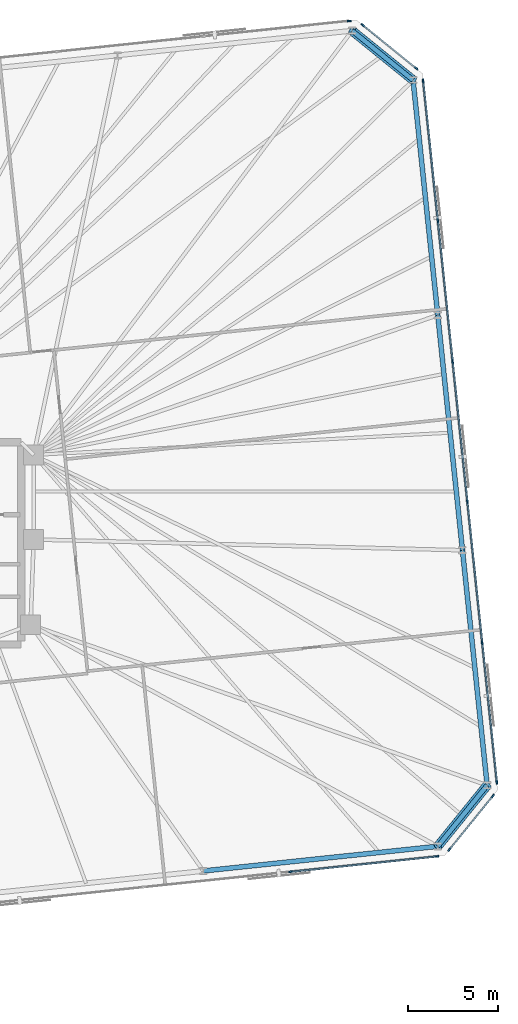
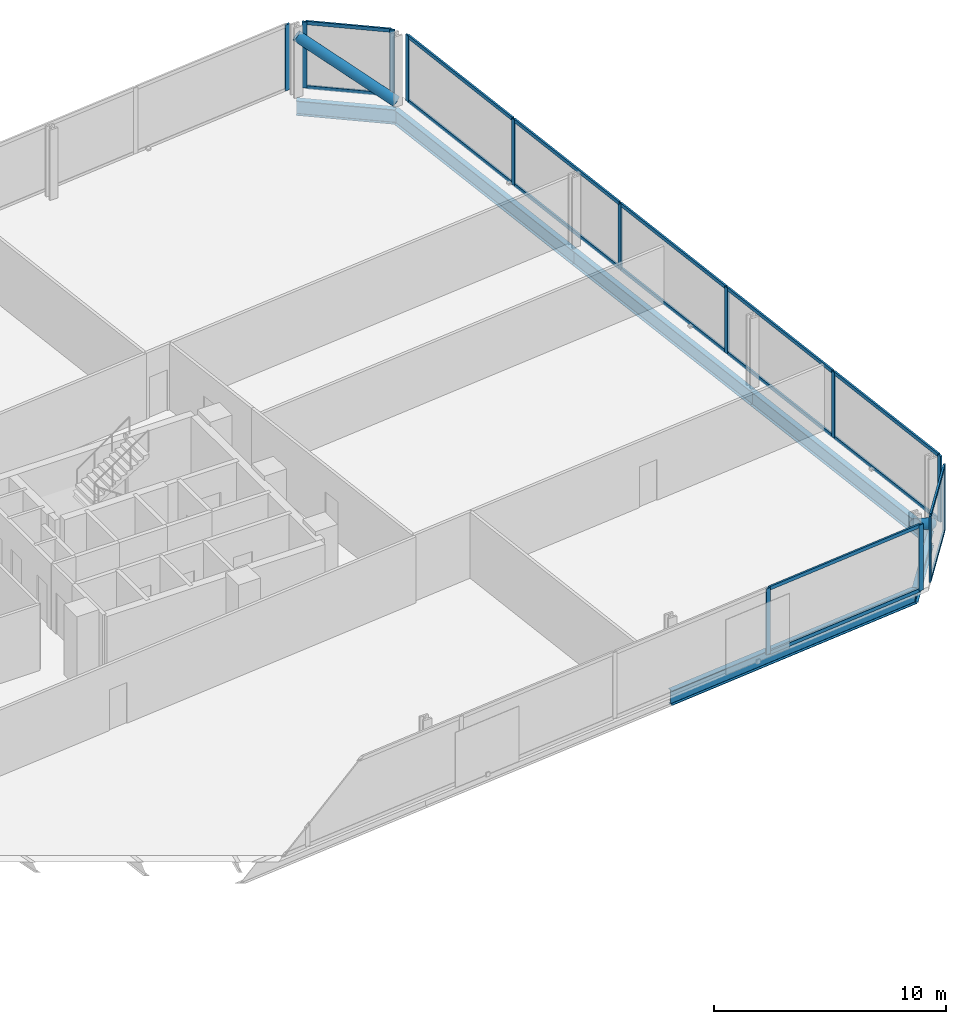
# One storey, part 12 of 18: 31 members, 6 beams, 5 elements without a shape of their own.
"""IFC4 building model written with IfcOpenShell, lengths in metres."""

from ifc_helpers import new_model, si_unit, direction, frame, origin, origin_2d, place, context, subcontext, project, spatial, rectangle, hollow_circle, i_section, extrude, material, material_profile, profile_set, type_object, element, aggregate, save


model = new_model("IFC4")

# Units and contexts
model_context = context("Model", 3, precision=1e-05, world=origin(), true_north=direction((0.0, 1.0)))
body_context = subcontext(model_context, "Body", "Model", "MODEL_VIEW")
ifc_project = project(units=[si_unit("LENGTHUNIT", "METRE"), si_unit("AREAUNIT", "SQUARE_METRE"), si_unit("VOLUMEUNIT", "CUBIC_METRE"), si_unit("PLANEANGLEUNIT", "RADIAN"), si_unit("MASSUNIT", "GRAM", prefix="KILO")], contexts=[model_context])

# Site, building, storey
site_placement = place(None, origin())
site = spatial("IfcSite", under=ifc_project, at=site_placement, CompositionType="ELEMENT")
building_placement = place(site_placement, origin())
building = spatial("IfcBuilding", under=site, at=building_placement, Name="Menara Jurai Vektor", CompositionType="ELEMENT")
storey_placement = place(building_placement, frame((0.0, 0.0, 113.300048828125)))
storey = spatial("IfcBuildingStorey", under=building, at=storey_placement, Name="L28", CompositionType="ELEMENT", Elevation=113.300048828125)

# Curtain wall, members
ifc_material_1 = material(Name="Anodised Pale Aluminium & Low-E Double Glazing", Category="aluminium")
curtain_wall_type = type_object("IfcCurtainWallType", Name="CW-BLK2", PredefinedType="NOTDEFINED", material=ifc_material_1)
curtain_wall_1_placement = place(storey_placement, origin())
curtain_wall_1 = element("IfcCurtainWall", 1, at=curtain_wall_1_placement, inside=storey, type_object=curtain_wall_type, Name="Unitised Curtain Wall L28 F03", PredefinedType="NOTDEFINED")
ifc_material_2 = material(Name="Anodised Pale Aluminium Mullion", Category="aluminium")
ifc_material_profile_1 = material_profile(ifc_material_2, rectangle(XDim=0.090087890625, YDim=0.219970703125, at=origin_2d()), Name="ALU MUL 90x220")
ifc_profile_set_1 = profile_set([ifc_material_profile_1], Name="Anodised Pale Aluminium Mullion")
member_type_1 = type_object("IfcMemberType", Name="CW-BLK2-MUL", PredefinedType="MULLION", material=ifc_profile_set_1)
member_1_placement = place(storey_placement, frame((29.478271484375, -18.174072265625, 0.0), z_axis=(0.0, 0.0, 1.0), x_axis=(-0.104528945794, 0.994521844653, 0.0)))
member_1 = element("IfcMember", 2, at=member_1_placement, type_object=member_type_1, Name="CW-02 mullion 7", PredefinedType="MULLION", context=body_context, shape_type="SweptSolid", body=[
    extrude(rectangle(XDim=0.090087890625, YDim=0.219970703125, at=origin_2d()), origin(), (0.0, 0.0, 1.0), 3.474853515625),
])
member_2_placement = place(storey_placement, frame((37.5771484375, -17.32275390625, 0.0), z_axis=(0.0, 0.0, 1.0), x_axis=(-0.104528945794, 0.994521844653, 0.0)))
member_2 = element("IfcMember", 3, at=member_2_placement, type_object=member_type_1, Name="CW-02 mullion 8", PredefinedType="MULLION", context=body_context, shape_type="SweptSolid", body=[
    extrude(rectangle(XDim=0.090087890625, YDim=0.219970703125, at=origin_2d()), origin(), (0.0, 0.0, 1.0), 3.474853515625),
])

curtain_wall_2_placement = place(storey_placement, origin())
curtain_wall_2 = element("IfcCurtainWall", 4, at=curtain_wall_2_placement, inside=storey, type_object=curtain_wall_type, Name="Unitised Curtain Wall L28 F04", PredefinedType="NOTDEFINED")
member_3_placement = place(storey_placement, frame((38.267333984375, -16.9482421875, 0.0), z_axis=(0.0, 0.0, 1.0), x_axis=(-0.777129222223, 0.62934106172, 0.0)))
member_3 = element("IfcMember", 5, at=member_3_placement, type_object=member_type_1, Name="CW-02 mullion 1", PredefinedType="MULLION", context=body_context, shape_type="SweptSolid", body=[
    extrude(rectangle(XDim=0.090087890625, YDim=0.219970703125, at=origin_2d()), origin(), (0.0, 0.0, 1.0), 3.474853515625),
])
member_4_placement = place(storey_placement, frame((40.66943359375, -13.98193359375, 0.0), z_axis=(0.0, 0.0, 1.0), x_axis=(-0.777129222223, 0.62934106172, 0.0)))
member_4 = element("IfcMember", 6, at=member_4_placement, type_object=member_type_1, Name="CW-02 mullion 2", PredefinedType="MULLION", context=body_context, shape_type="SweptSolid", body=[
    extrude(rectangle(XDim=0.090087890625, YDim=0.219970703125, at=origin_2d()), origin(), (0.0, 0.0, 1.0), 3.474853515625),
])

curtain_wall_3_placement = place(storey_placement, origin())
curtain_wall_3 = element("IfcCurtainWall", 7, at=curtain_wall_3_placement, inside=storey, type_object=curtain_wall_type, Name="Unitised Curtain Wall L28 F05", PredefinedType="NOTDEFINED")
member_5_placement = place(storey_placement, frame((40.892333984375, -13.22900390625, 0.0), z_axis=(0.0, 0.0, 1.0), x_axis=(-0.99452177832, -0.104529576902, 0.0)))
member_5 = element("IfcMember", 8, at=member_5_placement, type_object=member_type_1, Name="CW-02 mullion 1", PredefinedType="MULLION", context=body_context, shape_type="SweptSolid", body=[
    extrude(rectangle(XDim=0.090087890625, YDim=0.219970703125, at=origin_2d()), origin(), (0.0, 0.0, 1.0), 3.474853515625),
])
member_6_placement = place(storey_placement, frame((40.078857421875, -5.488525390625, 0.0), z_axis=(0.0, 0.0, 1.0), x_axis=(-0.99452177832, -0.104529576902, 0.0)))
member_6 = element("IfcMember", 9, at=member_6_placement, type_object=member_type_1, Name="CW-02 mullion 2", PredefinedType="MULLION", context=body_context, shape_type="SweptSolid", body=[
    extrude(rectangle(XDim=0.090087890625, YDim=0.219970703125, at=origin_2d()), origin(), (0.0, 0.0, 1.0), 3.474853515625),
])
member_7_placement = place(storey_placement, frame((39.260498046875, 2.296630859375, 0.0), z_axis=(0.0, 0.0, 1.0), x_axis=(-0.99452177832, -0.104529576902, 0.0)))
member_7 = element("IfcMember", 10, at=member_7_placement, type_object=member_type_1, Name="CW-02 mullion 3", PredefinedType="MULLION", context=body_context, shape_type="SweptSolid", body=[
    extrude(rectangle(XDim=0.090087890625, YDim=0.219970703125, at=origin_2d()), origin(), (0.0, 0.0, 1.0), 3.474853515625),
])
member_8_placement = place(storey_placement, frame((38.4423828125, 10.081787109375, 0.0), z_axis=(0.0, 0.0, 1.0), x_axis=(-0.99452177832, -0.104529576902, 0.0)))
member_8 = element("IfcMember", 11, at=member_8_placement, type_object=member_type_1, Name="CW-02 mullion 4", PredefinedType="MULLION", context=body_context, shape_type="SweptSolid", body=[
    extrude(rectangle(XDim=0.090087890625, YDim=0.219970703125, at=origin_2d()), origin(), (0.0, 0.0, 1.0), 3.474853515625),
])
member_9_placement = place(storey_placement, frame((37.6240234375, 17.866943359375, 0.0), z_axis=(0.0, 0.0, 1.0), x_axis=(-0.99452177832, -0.104529576902, 0.0)))
member_9 = element("IfcMember", 12, at=member_9_placement, type_object=member_type_1, Name="CW-02 mullion 5", PredefinedType="MULLION", context=body_context, shape_type="SweptSolid", body=[
    extrude(rectangle(XDim=0.090087890625, YDim=0.219970703125, at=origin_2d()), origin(), (0.0, 0.0, 1.0), 3.474853515625),
])
member_10_placement = place(storey_placement, frame((36.810546875, 25.607177734375, 0.0), z_axis=(0.0, 0.0, 1.0), x_axis=(-0.99452177832, -0.104529576902, 0.0)))
member_10 = element("IfcMember", 13, at=member_10_placement, type_object=member_type_1, Name="CW-02 mullion 6", PredefinedType="MULLION", context=body_context, shape_type="SweptSolid", body=[
    extrude(rectangle(XDim=0.090087890625, YDim=0.219970703125, at=origin_2d()), origin(), (0.0, 0.0, 1.0), 3.474853515625),
])

curtain_wall_4_placement = place(storey_placement, origin())
curtain_wall_4 = element("IfcCurtainWall", 14, at=curtain_wall_4_placement, inside=storey, type_object=curtain_wall_type, Name="Unitised Curtain Wall L28 F06", PredefinedType="NOTDEFINED")
member_11_placement = place(storey_placement, frame((36.435791015625, 26.29736328125, 0.0), z_axis=(0.0, 0.0, 1.0), x_axis=(-0.629313085353, -0.777151877437, 0.0)))
member_11 = element("IfcMember", 15, at=member_11_placement, type_object=member_type_1, Name="CW-02 mullion 1", PredefinedType="MULLION", context=body_context, shape_type="SweptSolid", body=[
    extrude(rectangle(XDim=0.090087890625, YDim=0.219970703125, at=origin_2d()), origin(), (0.0, 0.0, 1.0), 3.474853515625),
])
member_12_placement = place(storey_placement, frame((33.469482421875, 28.699462890625, 0.0), z_axis=(0.0, 0.0, 1.0), x_axis=(-0.629313085353, -0.777151877437, 0.0)))
member_12 = element("IfcMember", 16, at=member_12_placement, type_object=member_type_1, Name="CW-02 mullion 2", PredefinedType="MULLION", context=body_context, shape_type="SweptSolid", body=[
    extrude(rectangle(XDim=0.090087890625, YDim=0.219970703125, at=origin_2d()), origin(), (0.0, 0.0, 1.0), 3.474853515625),
])

# Curtain wall, member
curtain_wall_5_placement = place(storey_placement, origin())
curtain_wall_5 = element("IfcCurtainWall", 17, at=curtain_wall_5_placement, inside=storey, type_object=curtain_wall_type, Name="Unitised Curtain Wall L28 F07", PredefinedType="NOTDEFINED")
member_13_placement = place(storey_placement, frame((32.716552734375, 28.92236328125, 0.0), z_axis=(0.0, 0.0, 1.0), x_axis=(0.104528634935, -0.994521877325, 0.0)))
member_13 = element("IfcMember", 18, at=member_13_placement, type_object=member_type_1, Name="CW-02 mullion 1", PredefinedType="MULLION", context=body_context, shape_type="SweptSolid", body=[
    extrude(rectangle(XDim=0.090087890625, YDim=0.219970703125, at=origin_2d()), origin(), (0.0, 0.0, 1.0), 3.474853515625),
])
aggregate(curtain_wall_5, [member_13])

# Member
ifc_material_3 = material(Name="Anodised Pale Aluminium Transom", Category="aluminium")
ifc_material_profile_2 = material_profile(ifc_material_3, rectangle(XDim=0.090087890625, YDim=0.18505859375, at=origin_2d()), Name="ALU TRN 90x185")
ifc_profile_set_2 = profile_set([ifc_material_profile_2], Name="Anodised Pale Aluminium Transom")
member_type_2 = type_object("IfcMemberType", Name="CW-BLK2-TRN", PredefinedType="USERDEFINED", material=ifc_profile_set_2)
member_14_placement = place(storey_placement, frame((29.52294921875, -18.16943359375, 0.044921875), z_axis=(0.994519231047, 0.104553809488, 0.0), x_axis=(-0.104553809488, 0.994519231047, 0.0)))
member_14 = element("IfcMember", 19, at=member_14_placement, type_object=member_type_2, Name="CW-02 transom 7.1", ObjectType="TRANSOM", PredefinedType="USERDEFINED", context=body_context, shape_type="SweptSolid", body=[
    extrude(rectangle(XDim=0.090087890625, YDim=0.18505859375, at=origin_2d()), origin(), (0.0, 0.0, 1.0), 8.0537109375),
])

member_15_placement = place(storey_placement, frame((29.52294921875, -18.16943359375, 3.429931640625), z_axis=(0.994519231047, 0.104553809488, 0.0), x_axis=(-0.104553809488, 0.994519231047, 0.0)))
member_15 = element("IfcMember", 20, at=member_15_placement, type_object=member_type_2, Name="CW-02 transom 7.2", ObjectType="TRANSOM", PredefinedType="USERDEFINED", context=body_context, shape_type="SweptSolid", body=[
    extrude(rectangle(XDim=0.090087890625, YDim=0.18505859375, at=origin_2d()), origin(), (0.0, 0.0, 1.0), 8.0537109375),
])

aggregate(curtain_wall_1, [member_1, member_2, member_14, member_15])

member_16_placement = place(storey_placement, frame((38.295654296875, -16.9130859375, 0.044921875), z_axis=(0.6293414396, 0.777128916205, 0.0), x_axis=(-0.777128916205, 0.6293414396, 0.0)))
member_16 = element("IfcMember", 21, at=member_16_placement, type_object=member_type_2, Name="CW-02 transom 1.1", ObjectType="TRANSOM", PredefinedType="USERDEFINED", context=body_context, shape_type="SweptSolid", body=[
    extrude(rectangle(XDim=0.090087890625, YDim=0.18505859375, at=origin_2d()), origin(), (0.0, 0.0, 1.0), 3.726806640625),
])

member_17_placement = place(storey_placement, frame((38.295654296875, -16.9130859375, 3.429931640625), z_axis=(0.6293414396, 0.777128916205, 0.0), x_axis=(-0.777128916205, 0.6293414396, 0.0)))
member_17 = element("IfcMember", 22, at=member_17_placement, type_object=member_type_2, Name="CW-02 transom 1.2", ObjectType="TRANSOM", PredefinedType="USERDEFINED", context=body_context, shape_type="SweptSolid", body=[
    extrude(rectangle(XDim=0.090087890625, YDim=0.18505859375, at=origin_2d()), origin(), (0.0, 0.0, 1.0), 3.726806640625),
])

aggregate(curtain_wall_2, [member_3, member_4, member_16, member_17])

member_18_placement = place(storey_placement, frame((40.8876953125, -13.18408203125, 0.044921875), z_axis=(-0.104536105602, 0.994521092097, 0.0), x_axis=(-0.994521092097, -0.104536105602, 0.0)))
member_18 = element("IfcMember", 23, at=member_18_placement, type_object=member_type_2, Name="CW-02 transom 1.1", ObjectType="TRANSOM", PredefinedType="USERDEFINED", context=body_context, shape_type="SweptSolid", body=[
    extrude(rectangle(XDim=0.090087890625, YDim=0.18505859375, at=origin_2d()), origin(), (0.0, 0.0, 1.0), 7.693115234375),
])

member_19_placement = place(storey_placement, frame((40.8876953125, -13.18408203125, 3.429931640625), z_axis=(-0.104536105602, 0.994521092097, 0.0), x_axis=(-0.994521092097, -0.104536105602, 0.0)))
member_19 = element("IfcMember", 24, at=member_19_placement, type_object=member_type_2, Name="CW-02 transom 1.2", ObjectType="TRANSOM", PredefinedType="USERDEFINED", context=body_context, shape_type="SweptSolid", body=[
    extrude(rectangle(XDim=0.090087890625, YDim=0.18505859375, at=origin_2d()), origin(), (0.0, 0.0, 1.0), 7.693115234375),
])

member_20_placement = place(storey_placement, frame((40.07421875, -5.44384765625, 0.044921875), z_axis=(-0.104528756613, 0.994521864536, 0.0), x_axis=(-0.994521864536, -0.104528756613, 0.0)))
member_20 = element("IfcMember", 25, at=member_20_placement, type_object=member_type_2, Name="CW-02 transom 2.1", ObjectType="TRANSOM", PredefinedType="USERDEFINED", context=body_context, shape_type="SweptSolid", body=[
    extrude(rectangle(XDim=0.090087890625, YDim=0.18505859375, at=origin_2d()), origin(), (0.0, 0.0, 1.0), 7.738037109375),
])

member_21_placement = place(storey_placement, frame((40.07421875, -5.44384765625, 3.429931640625), z_axis=(-0.104528756613, 0.994521864536, 0.0), x_axis=(-0.994521864536, -0.104528756613, 0.0)))
member_21 = element("IfcMember", 26, at=member_21_placement, type_object=member_type_2, Name="CW-02 transom 2.2", ObjectType="TRANSOM", PredefinedType="USERDEFINED", context=body_context, shape_type="SweptSolid", body=[
    extrude(rectangle(XDim=0.090087890625, YDim=0.18505859375, at=origin_2d()), origin(), (0.0, 0.0, 1.0), 7.738037109375),
])

member_22_placement = place(storey_placement, frame((39.255859375, 2.34130859375, 0.044921875), z_axis=(-0.104528756613, 0.994521864536, 0.0), x_axis=(-0.994521864536, -0.104528756613, 0.0)))
member_22 = element("IfcMember", 27, at=member_22_placement, type_object=member_type_2, Name="CW-02 transom 3.1", ObjectType="TRANSOM", PredefinedType="USERDEFINED", context=body_context, shape_type="SweptSolid", body=[
    extrude(rectangle(XDim=0.090087890625, YDim=0.18505859375, at=origin_2d()), origin(), (0.0, 0.0, 1.0), 7.738037109375),
])

member_23_placement = place(storey_placement, frame((39.255859375, 2.34130859375, 3.429931640625), z_axis=(-0.104528756613, 0.994521864536, 0.0), x_axis=(-0.994521864536, -0.104528756613, 0.0)))
member_23 = element("IfcMember", 28, at=member_23_placement, type_object=member_type_2, Name="CW-02 transom 3.2", ObjectType="TRANSOM", PredefinedType="USERDEFINED", context=body_context, shape_type="SweptSolid", body=[
    extrude(rectangle(XDim=0.090087890625, YDim=0.18505859375, at=origin_2d()), origin(), (0.0, 0.0, 1.0), 7.738037109375),
])

member_24_placement = place(storey_placement, frame((38.4375, 10.12646484375, 0.044921875), z_axis=(-0.104528756613, 0.994521864536, 0.0), x_axis=(-0.994521864536, -0.104528756613, 0.0)))
member_24 = element("IfcMember", 29, at=member_24_placement, type_object=member_type_2, Name="CW-02 transom 4.1", ObjectType="TRANSOM", PredefinedType="USERDEFINED", context=body_context, shape_type="SweptSolid", body=[
    extrude(rectangle(XDim=0.090087890625, YDim=0.18505859375, at=origin_2d()), origin(), (0.0, 0.0, 1.0), 7.738037109375),
])

member_25_placement = place(storey_placement, frame((38.4375, 10.12646484375, 3.429931640625), z_axis=(-0.104528756613, 0.994521864536, 0.0), x_axis=(-0.994521864536, -0.104528756613, 0.0)))
member_25 = element("IfcMember", 30, at=member_25_placement, type_object=member_type_2, Name="CW-02 transom 4.2", ObjectType="TRANSOM", PredefinedType="USERDEFINED", context=body_context, shape_type="SweptSolid", body=[
    extrude(rectangle(XDim=0.090087890625, YDim=0.18505859375, at=origin_2d()), origin(), (0.0, 0.0, 1.0), 7.738037109375),
])

member_26_placement = place(storey_placement, frame((37.619384765625, 17.91162109375, 0.044921875), z_axis=(-0.104536105602, 0.994521092097, 0.0), x_axis=(-0.994521092097, -0.104536105602, 0.0)))
member_26 = element("IfcMember", 31, at=member_26_placement, type_object=member_type_2, Name="CW-02 transom 5.1", ObjectType="TRANSOM", PredefinedType="USERDEFINED", context=body_context, shape_type="SweptSolid", body=[
    extrude(rectangle(XDim=0.090087890625, YDim=0.18505859375, at=origin_2d()), origin(), (0.0, 0.0, 1.0), 7.693115234375),
])

member_27_placement = place(storey_placement, frame((37.619384765625, 17.91162109375, 3.429931640625), z_axis=(-0.104536105602, 0.994521092097, 0.0), x_axis=(-0.994521092097, -0.104536105602, 0.0)))
member_27 = element("IfcMember", 32, at=member_27_placement, type_object=member_type_2, Name="CW-02 transom 5.2", ObjectType="TRANSOM", PredefinedType="USERDEFINED", context=body_context, shape_type="SweptSolid", body=[
    extrude(rectangle(XDim=0.090087890625, YDim=0.18505859375, at=origin_2d()), origin(), (0.0, 0.0, 1.0), 7.693115234375),
])

aggregate(curtain_wall_3, [member_5, member_6, member_7, member_8, member_9, member_10, member_18, member_19, member_20, member_21, member_22, member_23, member_24, member_25, member_26, member_27])

member_28_placement = place(storey_placement, frame((36.40087890625, 26.32568359375, 0.044921875), z_axis=(-0.77715486027, 0.629309401772, 0.0), x_axis=(-0.629309401772, -0.77715486027, 0.0)))
member_28 = element("IfcMember", 33, at=member_28_placement, type_object=member_type_2, Name="CW-02 transom 1.1", ObjectType="TRANSOM", PredefinedType="USERDEFINED", context=body_context, shape_type="SweptSolid", body=[
    extrude(rectangle(XDim=0.090087890625, YDim=0.18505859375, at=origin_2d()), origin(), (0.0, 0.0, 1.0), 3.72705078125),
])

member_29_placement = place(storey_placement, frame((36.40087890625, 26.32568359375, 3.429931640625), z_axis=(-0.77715486027, 0.629309401772, 0.0), x_axis=(-0.629309401772, -0.77715486027, 0.0)))
member_29 = element("IfcMember", 34, at=member_29_placement, type_object=member_type_2, Name="CW-02 transom 1.2", ObjectType="TRANSOM", PredefinedType="USERDEFINED", context=body_context, shape_type="SweptSolid", body=[
    extrude(rectangle(XDim=0.090087890625, YDim=0.18505859375, at=origin_2d()), origin(), (0.0, 0.0, 1.0), 3.72705078125),
])

aggregate(curtain_wall_4, [member_11, member_12, member_28, member_29])

# Members
ifc_material_4 = material(Name="Steel S460", Category="steel")
ifc_material_profile_3 = material_profile(ifc_material_4, hollow_circle(Radius=0.25390625, WallThickness=0.02001953125, at=origin_2d()), Name="CHS 508x20")
ifc_profile_set_3 = profile_set([ifc_material_profile_3], Name="Steel S460")
member_type_3 = type_object("IfcMemberType", Name="STR-BR-508", PredefinedType="BRACE", material=ifc_profile_set_3)
for number, where, z_axis, x_axis, name in (
    (35, (40.356201171875, -13.388671875, 0.14990234375), (-0.519271719394, -0.641207846359, 0.564986176119), (0.777127086072, -0.629343699494, 0.0), "Exoskeleton Corner Brace L28-1"),
    (36, (36.252685546875, 25.65185546875, 0.14990234375), (-0.641207846359, 0.519271719394, 0.564986176119), (-0.629343699494, -0.777127086072, 0.0), "Exoskeleton Corner Brace L28-2"),
):
    element("IfcMember", number, at=place(storey_placement, frame(where, z_axis=z_axis, x_axis=x_axis)), inside=storey, type_object=member_type_3, Name=name, PredefinedType="BRACE", context=body_context, shape_type="SweptSolid", body=[
        extrude(hollow_circle(Radius=0.25390625, WallThickness=0.02001953125, at=origin_2d()), origin(), (0.0, 0.0, 1.0), 5.265869140625),
    ])

# Beams
ifc_material_profile_4 = material_profile(ifc_material_4, i_section(OverallWidth=0.26806640625, OverallDepth=0.77001953125, WebThickness=0.01611328125, FlangeThickness=0.02490234375, FilletRadius=0.01708984375, at=origin_2d()), Name="UKB 762x267x197")
ifc_profile_set_4 = profile_set([ifc_material_profile_4], Name="Steel S460")
beam_type = type_object("IfcBeamType", Name="STR-SP-762", PredefinedType="SPANDREL", material=ifc_profile_set_4)
beam_1_placement = place(storey_placement, frame((24.64208984375, -18.12939453125, -0.610107421875), z_axis=(0.994521636083, 0.104530930169, 0.0), x_axis=(-0.104530930169, 0.994521636083, 0.0)))
element("IfcBeam", 37, at=beam_1_placement, inside=storey, type_object=beam_type, Name="Exoskeleton Spandrel Beam L28-05", PredefinedType="SPANDREL", context=body_context, shape_type="SweptSolid", body=[
    extrude(i_section(OverallWidth=0.26806640625, OverallDepth=0.77001953125, WebThickness=0.01611328125, FlangeThickness=0.02490234375, FilletRadius=0.01708984375, at=origin_2d()), origin(), (0.0, 0.0, 1.0), 13.05126953125),
])
beam_2_placement = place(storey_placement, frame((37.621826171875, -16.76513671875, -0.610107421875), z_axis=(0.629343699494, 0.777127086072, 0.0), x_axis=(-0.777127086072, 0.629343699494, 0.0)))
element("IfcBeam", 38, at=beam_2_placement, inside=storey, type_object=beam_type, Name="Exoskeleton Spandrel Beam L28-06", PredefinedType="SPANDREL", context=body_context, shape_type="SweptSolid", body=[
    extrude(i_section(OverallWidth=0.26806640625, OverallDepth=0.77001953125, WebThickness=0.01611328125, FlangeThickness=0.02490234375, FilletRadius=0.01708984375, at=origin_2d()), origin(), (0.0, 0.0, 1.0), 4.3447265625),
])
beam_3_placement = place(storey_placement, frame((40.356201171875, -13.388671875, -0.610107421875), z_axis=(-0.104538130097, 0.994520879296, 0.0), x_axis=(-0.994520879296, -0.104538130097, 0.0)))
element("IfcBeam", 39, at=beam_3_placement, inside=storey, type_object=beam_type, Name="Exoskeleton Spandrel Beam L28-07", PredefinedType="SPANDREL", context=body_context, shape_type="SweptSolid", body=[
    extrude(i_section(OverallWidth=0.26806640625, OverallDepth=0.77001953125, WebThickness=0.01611328125, FlangeThickness=0.02490234375, FilletRadius=0.01708984375, at=origin_2d()), origin(), (0.0, 0.0, 1.0), 13.08544921875),
])
beam_4_placement = place(storey_placement, frame((38.98828125, -0.375, -0.610107421875), z_axis=(-0.104521615846, 0.994522615037, 0.0), x_axis=(-0.994522615037, -0.104521615846, 0.0)))
element("IfcBeam", 40, at=beam_4_placement, inside=storey, type_object=beam_type, Name="Exoskeleton Spandrel Beam L28-08", PredefinedType="SPANDREL", context=body_context, shape_type="SweptSolid", body=[
    extrude(i_section(OverallWidth=0.26806640625, OverallDepth=0.77001953125, WebThickness=0.01611328125, FlangeThickness=0.02490234375, FilletRadius=0.01708984375, at=origin_2d()), origin(), (0.0, 0.0, 1.0), 13.085205078125),
])
beam_5_placement = place(storey_placement, frame((37.62060546875, 12.638427734375, -0.610107421875), z_axis=(-0.104538130097, 0.994520879296, 0.0), x_axis=(-0.994520879296, -0.104538130097, 0.0)))
element("IfcBeam", 41, at=beam_5_placement, inside=storey, type_object=beam_type, Name="Exoskeleton Spandrel Beam L28-09", PredefinedType="SPANDREL", context=body_context, shape_type="SweptSolid", body=[
    extrude(i_section(OverallWidth=0.26806640625, OverallDepth=0.77001953125, WebThickness=0.01611328125, FlangeThickness=0.02490234375, FilletRadius=0.01708984375, at=origin_2d()), origin(), (0.0, 0.0, 1.0), 13.08544921875),
])
beam_6_placement = place(storey_placement, frame((36.252685546875, 25.652099609375, -0.610107421875), z_axis=(-0.777154568396, 0.629309762217, 0.0), x_axis=(-0.629309762217, -0.777154568396, 0.0)))
element("IfcBeam", 42, at=beam_6_placement, inside=storey, type_object=beam_type, Name="Exoskeleton Spandrel Beam L28-10", PredefinedType="SPANDREL", context=body_context, shape_type="SweptSolid", body=[
    extrude(i_section(OverallWidth=0.26806640625, OverallDepth=0.77001953125, WebThickness=0.01611328125, FlangeThickness=0.02490234375, FilletRadius=0.01708984375, at=origin_2d()), origin(), (0.0, 0.0, 1.0), 4.3447265625),
])

save(model, "model.ifc")
